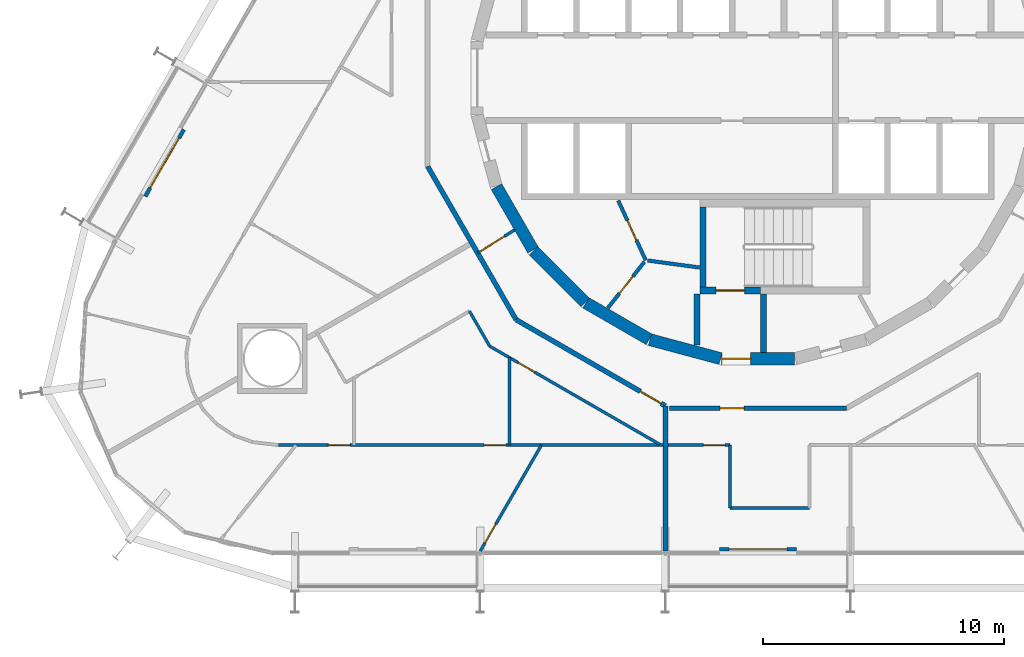
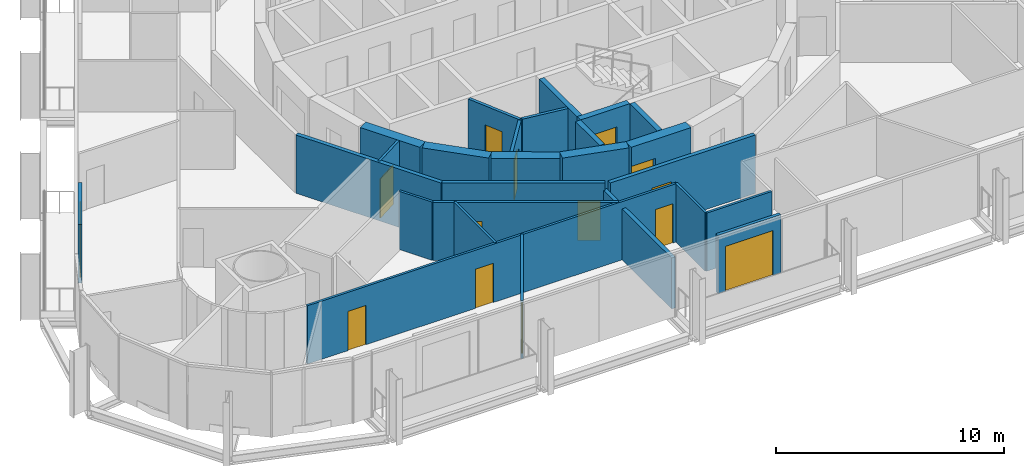
# One storey, part 13 of 20: 26 walls, 14 doors, 14 openings.
"""IFC4 building model written with IfcOpenShell, lengths in metres."""

import ifcopenshell
import ifcopenshell.guid

model = None  # the IFC model being written
_history = None  # IfcOwnerHistory: only IFC2X3 demands one
_inside = {}  # id of a spatial element -> (the spatial element, [elements in it])
_under = {}  # id of a project, library or spatial element -> (it, [spatial elements below it])
_declared = {}  # id of a project -> (the project, [libraries it declares])
_typed = {}  # id of a type object -> (the type object, [elements of that type])
_made_of = {}  # id of a material, layer set ... -> (it, [elements and type objects made of it])


def new_model(schema):
    """Start an empty IFC model of exactly this schema.

    Asked for "IFC4X3", IfcOpenShell would pick the latest addendum, in which some entities
    have other attributes; the version numbers below select the first issue.
    IFC2X3 requires an IfcOwnerHistory on every rooted entity: one is made here for all.
    """
    global model, _history
    if schema == "IFC4X3":
        model = ifcopenshell.file(schema_version=(4, 3, 0, 0))
    else:
        model = ifcopenshell.file(schema=schema)
    _inside.clear()
    _under.clear()
    _declared.clear()
    _typed.clear()
    _made_of.clear()
    _history = None
    if model.schema == "IFC2X3":
        org = make("IfcOrganization", Name="unknown")
        user = make(
            "IfcPersonAndOrganization",
            ThePerson=make("IfcPerson", FamilyName="unknown"),
            TheOrganization=org,
        )
        app = make(
            "IfcApplication",
            ApplicationDeveloper=org,
            Version="unknown",
            ApplicationFullName="unknown",
            ApplicationIdentifier="unknown",
        )
        _history = make(
            "IfcOwnerHistory",
            OwningUser=user,
            OwningApplication=app,
            ChangeAction="ADDED",
            CreationDate=0,
        )
    return model


def make(cls, **values):
    """One entity of the class cls with the attributes given. An attribute that is None is left unset."""
    return model.create_entity(
        cls, **{name: value for name, value in values.items() if value is not None}
    )


def rooted(cls, **values):
    """An entity with a GlobalId (a new one), such as an element, a storey or a relation."""
    return make(cls, GlobalId=ifcopenshell.guid.new(), OwnerHistory=_history, **values)


def si_unit(unit_type, name, prefix=None):
    """IfcSIUnit, for example si_unit("LENGTHUNIT", "METRE", prefix="MILLI")."""
    return make("IfcSIUnit", UnitType=unit_type, Prefix=prefix, Name=name)


def assignment(units):
    """IfcUnitAssignment: the units of a project."""
    return None if units is None else make("IfcUnitAssignment", Units=units)


def point(xyz):
    """IfcCartesianPoint."""
    return None if xyz is None else make("IfcCartesianPoint", Coordinates=xyz)


def direction(xyz):
    """IfcDirection."""
    return None if xyz is None else make("IfcDirection", DirectionRatios=xyz)


def frame(location, z_axis=None, x_axis=None):
    """IfcAxis2Placement3D, a coordinate frame: its origin and axes. An axis left out is left unset."""
    return make(
        "IfcAxis2Placement3D",
        Location=point(location),
        Axis=direction(z_axis),
        RefDirection=direction(x_axis),
    )


def frame_2d(location, x_axis=None):
    """IfcAxis2Placement2D, a coordinate frame in the plane: its origin and x axis."""
    return make(
        "IfcAxis2Placement2D", Location=point(location), RefDirection=direction(x_axis)
    )


def origin():
    """The frame at (0, 0, 0) with its axes left unset."""
    return frame((0.0, 0.0, 0.0))


def place(relative_to, where):
    """IfcLocalPlacement: puts the frame where relative to a parent placement (None: the world)."""
    return make(
        "IfcLocalPlacement", PlacementRelTo=relative_to, RelativePlacement=where
    )


def context(
    kind, dimensions, precision=None, world=None, true_north=None, identifier=None
):
    """IfcGeometricRepresentationContext, for example the 3D "Model" context."""
    return make(
        "IfcGeometricRepresentationContext",
        ContextIdentifier=identifier,
        ContextType=kind,
        CoordinateSpaceDimension=dimensions,
        Precision=precision,
        WorldCoordinateSystem=world,
        TrueNorth=true_north,
    )


def subcontext(parent, identifier, kind, view, scale=None):
    """IfcGeometricRepresentationSubContext, for example "Body" below "Model"."""
    return make(
        "IfcGeometricRepresentationSubContext",
        ContextIdentifier=identifier,
        ContextType=kind,
        ParentContext=parent,
        TargetScale=scale,
        TargetView=view,
    )


def project(units=None, contexts=None):
    """IfcProject with its units and contexts."""
    return rooted(
        "IfcProject",
        Name="project",
        RepresentationContexts=contexts,
        UnitsInContext=assignment(units),
    )


def spatial(cls, under=None, at=None, **own):
    """A site, building, storey or space (cls), placed at a placement, below another one or the project."""
    s = rooted(cls, ObjectPlacement=at, **own)
    if under is not None:
        _under.setdefault(under.id(), (under, []))[1].append(s)
    return s


def profile(cls, at=None, kind="AREA", **sizes):
    """A parametric profile (cls). Its sizes go by their IFC names, for example OverallWidth=200.0."""
    return make(cls, ProfileType=kind, Position=at, **sizes)


def rectangle(**sizes):
    """IfcRectangleProfileDef."""
    return profile("IfcRectangleProfileDef", **sizes)


def extrude(swept, where, along, depth):
    """IfcExtrudedAreaSolid: the profile swept, set in the frame where, extruded along a direction by depth."""
    return make(
        "IfcExtrudedAreaSolid",
        SweptArea=swept,
        Position=where,
        ExtrudedDirection=direction(along),
        Depth=depth,
    )


def shape(context_of_items, identifier, shape_type, items):
    """IfcShapeRepresentation: the items that make up one representation, for example the "Body"."""
    return make(
        "IfcShapeRepresentation",
        ContextOfItems=context_of_items,
        RepresentationIdentifier=identifier,
        RepresentationType=shape_type,
        Items=items,
    )


def material(Name=None, Category=None):
    """IfcMaterial."""
    return make("IfcMaterial", Name=Name, Category=Category)


def layer(
    of_material, thickness, ventilated=None, Name=None, Category=None, Priority=None
):
    """IfcMaterialLayer: one layer of a wall or slab, of a material (None: an air gap)."""
    return make(
        "IfcMaterialLayer",
        Material=of_material,
        LayerThickness=thickness,
        IsVentilated=ventilated,
        Name=Name,
        Category=Category,
        Priority=Priority,
    )


def layer_set(layers, Name=None):
    """IfcMaterialLayerSet."""
    return make("IfcMaterialLayerSet", MaterialLayers=layers, LayerSetName=Name)


def made_of(thing, what):
    """Note that an element or type object is made of a material, layer set ...; save() writes the relation."""
    if what is not None:
        _made_of.setdefault(what.id(), (what, []))[1].append(thing)
    return thing


def type_object(cls, material=None, **own):
    """A type object (cls), such as IfcWallType, which elements share."""
    return made_of(rooted(cls, **own), material)


def element(
    cls,
    number,
    at=None,
    inside=None,
    cuts=None,
    type_object=None,
    material=None,
    context=None,
    identifier="Body",
    shape_type=None,
    held_by="IfcProductDefinitionShape",
    body=None,
    shapes=None,
    **own,
):
    """One element of the class cls, such as IfcWall. Its Tag is "e" and its number.

    at: its placement. inside: the storey or other place that contains it. cuts: it is an
    opening in that element (IfcRelVoidsElement). A single representation is given by context,
    identifier, shape_type and body (its items); several are given by shapes. held_by: the class
    of the entity that holds the representations. save() writes the other relations.
    """
    e = rooted(cls, Tag="e%d" % number, ObjectPlacement=at, **own)
    if body is not None:
        shapes = [shape(context, identifier, shape_type, body)]
    if shapes is not None:
        e.Representation = make(held_by, Representations=shapes)
    if inside is not None:
        _inside.setdefault(inside.id(), (inside, []))[1].append(e)
    if cuts is not None:
        rooted(
            "IfcRelVoidsElement", RelatingBuildingElement=cuts, RelatedOpeningElement=e
        )
    if type_object is not None:
        _typed.setdefault(type_object.id(), (type_object, []))[1].append(e)
    return made_of(e, material)


def fill(opening, filler):
    """IfcRelFillsElement: the door or window that sits in an opening."""
    return rooted(
        "IfcRelFillsElement",
        RelatingOpeningElement=opening,
        RelatedBuildingElement=filler,
    )


def aggregate(whole, parts):
    """IfcRelAggregates: a whole, such as a stair, and the parts it consists of."""
    return rooted("IfcRelAggregates", RelatingObject=whole, RelatedObjects=parts)


def save(model, path):
    """Write the relations noted so far, then the file.

    IfcRelAggregates (storeys below a building ...), IfcRelContainedInSpatialStructure (elements
    in a storey), IfcRelDefinesByType, IfcRelAssociatesMaterial and IfcRelDeclares: one each for
    every whole, place, type object, material and project.
    """
    for whole, parts in _under.values():
        aggregate(whole, parts)
    for where, things in _inside.values():
        rooted(
            "IfcRelContainedInSpatialStructure",
            RelatedElements=things,
            RelatingStructure=where,
        )
    for kind, things in _typed.values():
        rooted("IfcRelDefinesByType", RelatedObjects=things, RelatingType=kind)
    for what, things in _made_of.values():
        rooted("IfcRelAssociatesMaterial", RelatedObjects=things, RelatingMaterial=what)
    for by, libraries in _declared.values():
        rooted("IfcRelDeclares", RelatingContext=by, RelatedDefinitions=libraries)
    model.write(path)


model = new_model("IFC4")

# Units and contexts
model_context = context("Model", 3, precision=1e-05, world=origin(), true_north=direction((0.0, 1.0)))
body_context = subcontext(model_context, "Body", "Model", "MODEL_VIEW")
ifc_project = project(units=[si_unit("LENGTHUNIT", "METRE"), si_unit("AREAUNIT", "SQUARE_METRE"), si_unit("VOLUMEUNIT", "CUBIC_METRE"), si_unit("PLANEANGLEUNIT", "RADIAN"), si_unit("MASSUNIT", "GRAM", prefix="KILO")], contexts=[model_context])

# Site, building, storey
site_placement = place(None, origin())
site = spatial("IfcSite", under=ifc_project, at=site_placement, CompositionType="ELEMENT")
building_placement = place(site_placement, origin())
building = spatial("IfcBuilding", under=site, at=building_placement, Name="Spindle Arch Residences", CompositionType="ELEMENT")
storey_placement = place(building_placement, frame((0.0, 0.0, 41.89990234375)))
storey = spatial("IfcBuildingStorey", under=building, at=storey_placement, Name="L08", CompositionType="ELEMENT", Elevation=41.89990234375)

# Walls
ifc_material_1 = material(Name="Concrete C50/60", Category="concrete")
ifc_layer_1 = layer(ifc_material_1, 0.5)
ifc_layer_set_1 = layer_set([ifc_layer_1], Name="Core outline wall 500")
wall_type_1 = type_object("IfcWallType", Name="Core outline wall 500", PredefinedType="SHEAR", material=ifc_layer_set_1)
wall_1_placement = place(storey_placement, frame((-10.84521484375, -4.510498046875, 0.0), z_axis=(0.0, 0.0, 1.0), x_axis=(0.500087131594, -0.865975092491, 0.0)))
element("IfcWall", 1, at=wall_1_placement, inside=storey, type_object=wall_type_1, Name="Core outline wall 20", PredefinedType="SHEAR", context=body_context, shape_type="SweptSolid", body=[
    extrude(rectangle(XDim=3.03271484375, YDim=0.5, at=frame_2d((1.516357421875, 0.0))), origin(), (0.0, 0.0, 1.0), 3.1201171875),
])
wall_2_placement = place(storey_placement, frame((-9.30810546875, -7.163818359375, 0.0), z_axis=(0.0, 0.0, 1.0), x_axis=(0.707106781187, -0.707106781187, 0.0)))
element("IfcWall", 2, at=wall_2_placement, inside=storey, type_object=wall_type_1, Name="Core outline wall 21", PredefinedType="SHEAR", context=body_context, shape_type="SweptSolid", body=[
    extrude(rectangle(XDim=3.032470703125, YDim=0.5, at=frame_2d((1.51611328125, 0.0))), origin(), (0.0, 0.0, 1.0), 3.1201171875),
])
for number, where, z_axis, x_axis, name in (
    (3, (-7.13671875, -9.32861328125, 0.0), (0.0, 0.0, 1.0), (0.865975092491, -0.500087131594, 0.0), "Core outline wall 22"),
    (4, (-4.479248046875, -10.858154296875, 0.0), (0.0, 0.0, 1.0), (0.965948410781, -0.258734743916, 0.0), "Core outline wall 23"),
):
    element("IfcWall", number, at=place(storey_placement, frame(where, z_axis=z_axis, x_axis=x_axis)), inside=storey, type_object=wall_type_1, Name=name, PredefinedType="SHEAR", context=body_context, shape_type="SweptSolid", body=[
        extrude(rectangle(XDim=3.03271484375, YDim=0.5, at=frame_2d((1.516357421875, 0.0))), origin(), (0.0, 0.0, 1.0), 3.1201171875),
    ])

# Wall, opening, door
wall_3_placement = place(storey_placement, frame((-1.516357421875, -11.647216796875, 0.0), z_axis=(0.0, 0.0, 1.0), x_axis=(1.0, 0.0, 0.0)))
wall_3 = element("IfcWall", 5, at=wall_3_placement, inside=storey, type_object=wall_type_1, Name="Core outline wall 24", PredefinedType="SHEAR", context=body_context, shape_type="SweptSolid", body=[
    extrude(rectangle(XDim=3.03271484375, YDim=0.5, at=frame_2d((1.516357421875, 0.0))), origin(), (0.0, 0.0, 1.0), 3.1201171875),
])
opening_1_placement = place(wall_3_placement, frame((0.016357421875, 0.0, 0.0)))
opening_1 = element("IfcOpeningElement", 6, at=opening_1_placement, cuts=wall_3, Name="Opening R1A1-AD03", PredefinedType="OPENING", context=body_context, shape_type="SweptSolid", body=[
    extrude(rectangle(XDim=1.199951171875, YDim=2.10009765625, at=frame_2d((0.60009765625, 1.050048828125))), frame((0.0, 0.260009765625, 0.0), z_axis=(0.0, -1.0, 0.0), x_axis=(1.0, 0.0, 0.0)), (0.0, 0.0, 1.0), 0.52001953125),
])
ifc_material_2 = material(Name="Steel, fire-resisting door", Category="steel")
door_type_1 = type_object("IfcDoorType", Name="Stair airlock door 1200x2100", OperationType="SINGLE_SWING_LEFT", PredefinedType="DOOR", material=ifc_material_2)
door_1_placement = place(opening_1_placement, origin())
door_1 = element("IfcDoor", 7, at=door_1_placement, inside=storey, type_object=door_type_1, Name="Stair airlock door R1A1-AD03", OperationType="SINGLE_SWING_RIGHT", OverallHeight=2.10009765625, OverallWidth=1.199951171875, PredefinedType="DOOR", context=body_context, shape_type="SweptSolid", body=[
    extrude(rectangle(XDim=1.199951171875, YDim=2.10009765625, at=frame_2d((0.60009765625, 1.050048828125))), frame((0.0, 0.02490234375, 0.0), z_axis=(0.0, -1.0, 0.0), x_axis=(1.0, 0.0, 0.0)), (0.0, 0.0, 1.0), 0.050048828125),
])
fill(opening_1, door_1)

ifc_material_3 = material(Name="Plasterboard on steel studs", Category="steel")
ifc_layer_2 = layer(ifc_material_3, 0.1201171875)
ifc_layer_set_2 = layer_set([ifc_layer_2], Name="Corridor division wall 120")
wall_type_2 = type_object("IfcWallType", Name="Corridor division wall 120", PredefinedType="PARTITIONING", material=ifc_layer_set_2)
wall_4_placement = place(storey_placement, frame((-11.625244140625, -7.264404296875, 0.0), z_axis=(0.0, 0.0, 1.0), x_axis=(0.84803632456, 0.529938102259, 0.0)))
wall_4 = element("IfcWall", 8, at=wall_4_placement, inside=storey, type_object=wall_type_2, Name="Corridor division wall R1A1-W003", PredefinedType="PARTITIONING", context=body_context, shape_type="SweptSolid", body=[
    extrude(rectangle(XDim=1.8037109375, YDim=0.1201171875, at=frame_2d((0.90185546875, 0.0))), origin(), (0.0, 0.0, 1.0), 3.1201171875),
])
opening_2_placement = place(wall_4_placement, frame((0.110107421875, 0.0, 0.0)))
opening_2 = element("IfcOpeningElement", 9, at=opening_2_placement, cuts=wall_4, Name="Opening R1A1-CD03", PredefinedType="OPENING", context=body_context, shape_type="SweptSolid", body=[
    extrude(rectangle(XDim=1.199951171875, YDim=2.10009765625, at=frame_2d((0.60009765625, 1.050048828125))), frame((0.0, 0.070068359375, 0.0), z_axis=(0.0, -1.0, 0.0), x_axis=(1.0, 0.0, 0.0)), (0.0, 0.0, 1.0), 0.14013671875),
])
ifc_material_4 = material(Name="Steel, fire-resisting door", Category="steel")
door_type_2 = type_object("IfcDoorType", Name="Corridor division door 1200x2100", OperationType="NOTDEFINED", PredefinedType="DOOR", material=ifc_material_4)
door_2_placement = place(opening_2_placement, origin())
door_2 = element("IfcDoor", 10, at=door_2_placement, inside=storey, type_object=door_type_2, Name="Corridor division door R1A1-CD03", OperationType="DOUBLE_DOOR_SINGLE_SWING", OverallHeight=2.10009765625, OverallWidth=1.199951171875, PredefinedType="DOOR", context=body_context, shape_type="SweptSolid", body=[
    extrude(rectangle(XDim=1.199951171875, YDim=2.10009765625, at=frame_2d((0.60009765625, 1.050048828125))), frame((0.0, 0.02490234375, 0.0), z_axis=(0.0, -1.0, 0.0), x_axis=(1.0, 0.0, 0.0)), (0.0, 0.0, 1.0), 0.050048828125),
])
fill(opening_2, door_2)

# Wall
ifc_material_5 = material(Name="Calcium silicate block, plastered")
ifc_layer_3 = layer(ifc_material_5, 0.199951171875)
ifc_layer_set_3 = layer_set([ifc_layer_3], Name="Corridor wall 200")
wall_type_3 = type_object("IfcWallType", Name="Corridor wall 200", PredefinedType="STANDARD", material=ifc_layer_set_3)
wall_5_placement = place(storey_placement, frame((-13.699951171875, -3.6708984375, 0.0), z_axis=(0.0, 0.0, 1.0), x_axis=(0.500001669485, -0.866024439905, 0.0)))
element("IfcWall", 11, at=wall_5_placement, inside=storey, type_object=wall_type_3, Name="Corridor wall R1A1-W012", PredefinedType="STANDARD", context=body_context, shape_type="SweptSolid", body=[
    extrude(rectangle(XDim=7.341796875, YDim=0.199951171875, at=frame_2d((3.6708984375, 0.0))), origin(), (0.0, 0.0, 1.0), 3.1201171875),
])

# Wall, opening, door
wall_6_placement = place(storey_placement, frame((-10.029052734375, -10.029052734375, 0.0), z_axis=(0.0, 0.0, 1.0), x_axis=(0.866022878987, -0.500004373052, 0.0)))
wall_6 = element("IfcWall", 12, at=wall_6_placement, inside=storey, type_object=wall_type_3, Name="Corridor wall R1A1-W013", PredefinedType="STANDARD", context=body_context, shape_type="SweptSolid", body=[
    extrude(rectangle(XDim=7.146484375, YDim=0.199951171875, at=frame_2d((3.5732421875, 0.0))), origin(), (0.0, 0.0, 1.0), 3.1201171875),
])
opening_3_placement = place(wall_6_placement, frame((5.946533203125, 0.0, 0.0)))
opening_3 = element("IfcOpeningElement", 13, at=opening_3_placement, cuts=wall_6, Name="Opening R1A1-FD04", PredefinedType="OPENING", context=body_context, shape_type="SweptSolid", body=[
    extrude(rectangle(XDim=1.0, YDim=2.10009765625, at=frame_2d((0.5, 1.050048828125))), frame((0.0, 0.10986328125, 0.0), z_axis=(0.0, -1.0, 0.0), x_axis=(1.0, 0.0, 0.0)), (0.0, 0.0, 1.0), 0.219970703125),
])
ifc_material_6 = material(Name="Timber, fire-resisting door set", Category="wood")
door_type_3 = type_object("IfcDoorType", Name="Flat entrance door 1000x2100", OperationType="NOTDEFINED", PredefinedType="DOOR", material=ifc_material_6)
door_3_placement = place(opening_3_placement, origin())
door_3 = element("IfcDoor", 14, at=door_3_placement, inside=storey, type_object=door_type_3, Name="Flat entrance door R1A1-FD04", OperationType="SINGLE_SWING_LEFT", OverallHeight=2.10009765625, OverallWidth=1.0, PredefinedType="DOOR", context=body_context, shape_type="SweptSolid", body=[
    extrude(rectangle(XDim=1.0, YDim=2.10009765625, at=frame_2d((0.5, 1.050048828125))), frame((0.0, 0.02490234375, 0.0), z_axis=(0.0, -1.0, 0.0), x_axis=(1.0, 0.0, 0.0)), (0.0, 0.0, 1.0), 0.050048828125),
])
fill(opening_3, door_3)

wall_7_placement = place(storey_placement, frame((-3.6708984375, -13.699951171875, 0.0), z_axis=(0.0, 0.0, 1.0), x_axis=(1.0, 0.0, 0.0)))
wall_7 = element("IfcWall", 15, at=wall_7_placement, inside=storey, type_object=wall_type_3, Name="Corridor wall R1A1-W014", PredefinedType="STANDARD", context=body_context, shape_type="SweptSolid", body=[
    extrude(rectangle(XDim=7.341796875, YDim=0.199951171875, at=frame_2d((3.6708984375, 0.0))), origin(), (0.0, 0.0, 1.0), 3.1201171875),
])
opening_4_placement = place(wall_7_placement, frame((2.10009765625, 0.0, 0.0)))
opening_4 = element("IfcOpeningElement", 16, at=opening_4_placement, cuts=wall_7, Name="Opening R1A1-FD05", PredefinedType="OPENING", context=body_context, shape_type="SweptSolid", body=[
    extrude(rectangle(XDim=1.0, YDim=2.10009765625, at=frame_2d((0.5, 1.050048828125))), frame((0.0, 0.10986328125, 0.0), z_axis=(0.0, -1.0, 0.0), x_axis=(1.0, 0.0, 0.0)), (0.0, 0.0, 1.0), 0.219970703125),
])
door_4_placement = place(opening_4_placement, origin())
door_4 = element("IfcDoor", 17, at=door_4_placement, inside=storey, type_object=door_type_3, Name="Flat entrance door R1A1-FD05", OperationType="SINGLE_SWING_LEFT", OverallHeight=2.10009765625, OverallWidth=1.0, PredefinedType="DOOR", context=body_context, shape_type="SweptSolid", body=[
    extrude(rectangle(XDim=1.0, YDim=2.10009765625, at=frame_2d((0.5, 1.050048828125))), frame((0.0, 0.02490234375, 0.0), z_axis=(0.0, -1.0, 0.0), x_axis=(1.0, 0.0, 0.0)), (0.0, 0.0, 1.0), 0.050048828125),
])
fill(opening_4, door_4)

# Wall
ifc_material_7 = material(Name="Plasterboard on steel studs", Category="steel")
ifc_layer_4 = layer(ifc_material_7, 0.1201171875)
ifc_layer_set_4 = layer_set([ifc_layer_4], Name="Flat partition 120")
wall_type_4 = type_object("IfcWallType", Name="Flat partition 120", PredefinedType="PARTITIONING", material=ifc_layer_set_4)
wall_8_placement = place(storey_placement, frame((-11.964599609375, -9.676513671875, 0.0), z_axis=(0.0, 0.0, 1.0), x_axis=(0.499932737185, -0.866064234506, 0.0)))
element("IfcWall", 18, at=wall_8_placement, inside=storey, type_object=wall_type_4, Name="Flat partition R1A1-W074", PredefinedType="PARTITIONING", context=body_context, shape_type="SweptSolid", body=[
    extrude(rectangle(XDim=1.675048828125, YDim=0.1201171875, at=frame_2d((0.83740234375, 0.0))), origin(), (0.0, 0.0, 1.0), 3.1201171875),
])

# Wall, opening, door
wall_9_placement = place(storey_placement, frame((-11.127197265625, -11.127197265625, 0.0), z_axis=(0.0, 0.0, 1.0), x_axis=(0.866032360344, -0.499987950692, 0.0)))
wall_9 = element("IfcWall", 19, at=wall_9_placement, inside=storey, type_object=wall_type_4, Name="Flat partition R1A1-W075", PredefinedType="PARTITIONING", context=body_context, shape_type="SweptSolid", body=[
    extrude(rectangle(XDim=8.145751953125, YDim=0.1201171875, at=frame_2d((4.07275390625, 0.0))), origin(), (0.0, 0.0, 1.0), 3.1201171875),
])
opening_5_placement = place(wall_9_placement, frame((1.357177734375, 0.0, 0.0)))
opening_5 = element("IfcOpeningElement", 20, at=opening_5_placement, cuts=wall_9, Name="Opening R1A1-BD05", PredefinedType="OPENING", context=body_context, shape_type="SweptSolid", body=[
    extrude(rectangle(XDim=0.800048828125, YDim=2.10009765625, at=frame_2d((0.39990234375, 1.050048828125))), frame((0.0, 0.070068359375, 0.0), z_axis=(0.0, -1.0, 0.0), x_axis=(1.0, 0.0, 0.0)), (0.0, 0.0, 1.0), 0.14013671875),
])
ifc_material_8 = material(Name="Timber door set", Category="wood")
door_type_4 = type_object("IfcDoorType", Name="Bathroom door 800x2100", OperationType="NOTDEFINED", PredefinedType="DOOR", material=ifc_material_8)
door_5_placement = place(opening_5_placement, origin())
door_5 = element("IfcDoor", 21, at=door_5_placement, inside=storey, type_object=door_type_4, Name="Bathroom door R1A1-BD05", OperationType="SINGLE_SWING_LEFT", OverallHeight=2.10009765625, OverallWidth=0.800048828125, PredefinedType="DOOR", context=body_context, shape_type="SweptSolid", body=[
    extrude(rectangle(XDim=0.800048828125, YDim=2.10009765625, at=frame_2d((0.39990234375, 1.050048828125))), frame((0.0, 0.02490234375, 0.0), z_axis=(0.0, -1.0, 0.0), x_axis=(1.0, 0.0, 0.0)), (0.0, 0.0, 1.0), 0.050048828125),
])
fill(opening_5, door_5)

# Wall, openings, doors
wall_10_placement = place(storey_placement, frame((-1.161376953125, -15.22998046875, 0.0), z_axis=(0.0, 0.0, 1.0), x_axis=(-1.0, 0.0, 0.0)))
wall_10 = element("IfcWall", 22, at=wall_10_placement, inside=storey, type_object=wall_type_4, Name="Flat partition R1A1-W076", PredefinedType="PARTITIONING", context=body_context, shape_type="SweptSolid", body=[
    extrude(rectangle(XDim=18.72607421875, YDim=0.1201171875, at=frame_2d((9.363037109375, 0.0))), origin(), (0.0, 0.0, 1.0), 3.1201171875),
])
opening_6_placement = place(wall_10_placement, frame((9.296875, 0.0, 0.0)))
opening_6 = element("IfcOpeningElement", 23, at=opening_6_placement, cuts=wall_10, Name="Opening R1A1-ID20", PredefinedType="OPENING", context=body_context, shape_type="SweptSolid", body=[
    extrude(rectangle(XDim=0.89990234375, YDim=2.10009765625, at=frame_2d((0.449951171875, 1.050048828125))), frame((0.0, 0.070068359375, 0.0), z_axis=(0.0, -1.0, 0.0), x_axis=(1.0, 0.0, 0.0)), (0.0, 0.0, 1.0), 0.14013671875),
])
opening_7_placement = place(wall_10_placement, frame((15.7548828125, 0.0, 0.0)))
opening_7 = element("IfcOpeningElement", 24, at=opening_7_placement, cuts=wall_10, Name="Opening R1A1-ID23", PredefinedType="OPENING", context=body_context, shape_type="SweptSolid", body=[
    extrude(rectangle(XDim=0.89990234375, YDim=2.10009765625, at=frame_2d((0.449951171875, 1.050048828125))), frame((0.0, 0.070068359375, 0.0), z_axis=(0.0, -1.0, 0.0), x_axis=(1.0, 0.0, 0.0)), (0.0, 0.0, 1.0), 0.14013671875),
])
opening_8_placement = place(wall_10_placement, frame((0.199951171875, 0.0, 0.0)))
opening_8 = element("IfcOpeningElement", 25, at=opening_8_placement, cuts=wall_10, Name="Opening R1A1-ID24", PredefinedType="OPENING", context=body_context, shape_type="SweptSolid", body=[
    extrude(rectangle(XDim=0.89990234375, YDim=2.10009765625, at=frame_2d((0.449951171875, 1.050048828125))), frame((0.0, 0.070068359375, 0.0), z_axis=(0.0, -1.0, 0.0), x_axis=(1.0, 0.0, 0.0)), (0.0, 0.0, 1.0), 0.14013671875),
])
ifc_material_9 = material(Name="Timber door set", Category="wood")
door_type_5 = type_object("IfcDoorType", Name="Room door 900x2100", OperationType="NOTDEFINED", PredefinedType="DOOR", material=ifc_material_9)
door_6_placement = place(opening_6_placement, origin())
door_6 = element("IfcDoor", 26, at=door_6_placement, inside=storey, type_object=door_type_5, Name="Room door R1A1-ID20", OperationType="SINGLE_SWING_LEFT", OverallHeight=2.10009765625, OverallWidth=0.89990234375, PredefinedType="DOOR", context=body_context, shape_type="SweptSolid", body=[
    extrude(rectangle(XDim=0.89990234375, YDim=2.10009765625, at=frame_2d((0.449951171875, 1.050048828125))), frame((0.0, 0.02490234375, 0.0), z_axis=(0.0, -1.0, 0.0), x_axis=(1.0, 0.0, 0.0)), (0.0, 0.0, 1.0), 0.050048828125),
])
fill(opening_6, door_6)
door_7_placement = place(opening_7_placement, origin())
door_7 = element("IfcDoor", 27, at=door_7_placement, inside=storey, type_object=door_type_5, Name="Room door R1A1-ID23", OperationType="SINGLE_SWING_RIGHT", OverallHeight=2.10009765625, OverallWidth=0.89990234375, PredefinedType="DOOR", context=body_context, shape_type="SweptSolid", body=[
    extrude(rectangle(XDim=0.89990234375, YDim=2.10009765625, at=frame_2d((0.449951171875, 1.050048828125))), frame((0.0, 0.02490234375, 0.0), z_axis=(0.0, -1.0, 0.0), x_axis=(1.0, 0.0, 0.0)), (0.0, 0.0, 1.0), 0.050048828125),
])
fill(opening_7, door_7)
door_8_placement = place(opening_8_placement, origin())
door_8 = element("IfcDoor", 28, at=door_8_placement, inside=storey, type_object=door_type_5, Name="Room door R1A1-ID24", OperationType="SINGLE_SWING_LEFT", OverallHeight=2.10009765625, OverallWidth=0.89990234375, PredefinedType="DOOR", context=body_context, shape_type="SweptSolid", body=[
    extrude(rectangle(XDim=0.89990234375, YDim=2.10009765625, at=frame_2d((0.449951171875, 1.050048828125))), frame((0.0, 0.02490234375, 0.0), z_axis=(0.0, -1.0, 0.0), x_axis=(1.0, 0.0, 0.0)), (0.0, 0.0, 1.0), 0.050048828125),
])
fill(opening_8, door_8)

# Wall
wall_11_placement = place(storey_placement, frame((-10.298095703125, -15.22998046875, 0.0), z_axis=(0.0, 0.0, 1.0), x_axis=(0.0, 1.0, 0.0)))
element("IfcWall", 29, at=wall_11_placement, inside=storey, type_object=wall_type_4, Name="Flat partition R1A1-W083", PredefinedType="PARTITIONING", context=body_context, shape_type="SweptSolid", body=[
    extrude(rectangle(XDim=3.624267578125, YDim=0.1201171875, at=frame_2d((1.81201171875, 0.0))), origin(), (0.0, 0.0, 1.0), 3.1201171875),
])

# Wall, opening, door
wall_12_placement = place(storey_placement, frame((-11.52001953125, -19.6298828125, 0.0), z_axis=(0.0, 0.0, 1.0), x_axis=(0.499999763888, 0.866025540104, 0.0)))
wall_12 = element("IfcWall", 30, at=wall_12_placement, inside=storey, type_object=wall_type_4, Name="Flat partition R1A1-W084", PredefinedType="PARTITIONING", context=body_context, shape_type="SweptSolid", body=[
    extrude(rectangle(XDim=5.08056640625, YDim=0.1201171875, at=frame_2d((2.540283203125, 0.0))), origin(), (0.0, 0.0, 1.0), 3.1201171875),
])
opening_9_placement = place(wall_12_placement, frame((0.39990234375, 0.0, 0.0)))
opening_9 = element("IfcOpeningElement", 31, at=opening_9_placement, cuts=wall_12, Name="Opening R1A1-ID22", PredefinedType="OPENING", context=body_context, shape_type="SweptSolid", body=[
    extrude(rectangle(XDim=0.89990234375, YDim=2.10009765625, at=frame_2d((0.449951171875, 1.050048828125))), frame((0.0, 0.070068359375, 0.0), z_axis=(0.0, -1.0, 0.0), x_axis=(1.0, 0.0, 0.0)), (0.0, 0.0, 1.0), 0.14013671875),
])
door_9_placement = place(opening_9_placement, origin())
door_9 = element("IfcDoor", 32, at=door_9_placement, inside=storey, type_object=door_type_5, Name="Room door R1A1-ID22", OperationType="SINGLE_SWING_RIGHT", OverallHeight=2.10009765625, OverallWidth=0.89990234375, PredefinedType="DOOR", context=body_context, shape_type="SweptSolid", body=[
    extrude(rectangle(XDim=0.89990234375, YDim=2.10009765625, at=frame_2d((0.449951171875, 1.050048828125))), frame((0.0, 0.02490234375, 0.0), z_axis=(0.0, -1.0, 0.0), x_axis=(1.0, 0.0, 0.0)), (0.0, 0.0, 1.0), 0.050048828125),
])
fill(opening_9, door_9)

# Walls
wall_13_placement = place(storey_placement, frame((-1.161376953125, -15.22998046875, 0.0), z_axis=(0.0, 0.0, 1.0), x_axis=(0.0, -1.0, 0.0)))
element("IfcWall", 33, at=wall_13_placement, inside=storey, type_object=wall_type_4, Name="Flat partition R1A1-W085", PredefinedType="PARTITIONING", context=body_context, shape_type="SweptSolid", body=[
    extrude(rectangle(XDim=2.614990234375, YDim=0.1201171875, at=frame_2d((1.3076171875, 0.0))), origin(), (0.0, 0.0, 1.0), 3.1201171875),
])
wall_14_placement = place(storey_placement, frame((-1.161376953125, -17.844970703125, 0.0), z_axis=(0.0, 0.0, 1.0), x_axis=(1.0, 0.0, 0.0)))
element("IfcWall", 34, at=wall_14_placement, inside=storey, type_object=wall_type_4, Name="Flat partition R1A1-W086", PredefinedType="PARTITIONING", context=body_context, shape_type="SweptSolid", body=[
    extrude(rectangle(XDim=3.300048828125, YDim=0.1201171875, at=frame_2d((1.64990234375, 0.0))), origin(), (0.0, 0.0, 1.0), 3.1201171875),
])
ifc_material_10 = material(Name="Calcium silicate block, plastered")
ifc_layer_5 = layer(ifc_material_10, 0.199951171875)
ifc_layer_set_5 = layer_set([ifc_layer_5], Name="Flat party wall 200 under beam 2730")
wall_type_5 = type_object("IfcWallType", Name="Flat party wall 200 under beam 2730", PredefinedType="STANDARD", material=ifc_layer_set_5)
wall_15_placement = place(storey_placement, frame((-3.840087890625, -19.6298828125, 0.0), z_axis=(0.0, 0.0, 1.0), x_axis=(0.0, 1.0, 0.0)))
element("IfcWall", 35, at=wall_15_placement, inside=storey, type_object=wall_type_5, Name="Flat party wall R1A1-W024", PredefinedType="STANDARD", context=body_context, shape_type="SweptSolid", body=[
    extrude(rectangle(XDim=6.027587890625, YDim=0.199951171875, at=frame_2d((3.013671875, 0.0))), origin(), (0.0, 0.0, 1.0), 2.72998046875),
])

# Wall, opening, door
ifc_material_11 = material(Name="Non-combustible mineral wool insulated aluminium faced external wall (K0)", Category="aluminium")
ifc_layer_6 = layer(ifc_material_11, 0.159912109375)
ifc_layer_set_6 = layer_set([ifc_layer_6], Name="Insulated external wall panel 160")
wall_type_6 = type_object("IfcWallType", Name="Insulated external wall panel 160", PredefinedType="STANDARD", material=ifc_layer_set_6)
wall_16_placement = place(storey_placement, frame((-23.810791015625, -2.1416015625, 0.0), z_axis=(0.0, 0.0, 1.0), x_axis=(-0.500028443584, -0.866008981251, 0.0)))
wall_16 = element("IfcWall", 36, at=wall_16_placement, inside=storey, type_object=wall_type_6, Name="External wall L08 bay 18", PredefinedType="STANDARD", context=body_context, shape_type="SweptSolid", body=[
    extrude(rectangle(XDim=3.199951171875, YDim=0.159912109375, at=frame_2d((1.60009765625, 0.0))), origin(), (0.0, 0.0, 1.0), 3.1201171875),
])
opening_10_placement = place(wall_16_placement, frame((0.39990234375, 0.0, 0.0)))
opening_10 = element("IfcOpeningElement", 37, at=opening_10_placement, cuts=wall_16, Name="Opening BD18", PredefinedType="OPENING", context=body_context, shape_type="SweptSolid", body=[
    extrude(rectangle(XDim=2.39990234375, YDim=2.39990234375, at=frame_2d((1.199951171875, 1.199951171875))), frame((0.0, 0.08984375, 0.0), z_axis=(0.0, -1.0, 0.0), x_axis=(1.0, 0.0, 0.0)), (0.0, 0.0, 1.0), 0.179931640625),
])
ifc_material_12 = material(Name="Bronze aluminium frame, tinted double glazing", Category="aluminium")
door_type_6 = type_object("IfcDoorType", Name="Sliding glazed balcony door 2400x2400", OperationType="DOUBLE_DOOR_SLIDING", PredefinedType="DOOR", material=ifc_material_12)
door_10_placement = place(opening_10_placement, origin())
door_10 = element("IfcDoor", 38, at=door_10_placement, inside=storey, type_object=door_type_6, Name="Balcony door BD18", OperationType="DOUBLE_DOOR_SLIDING", OverallHeight=2.39990234375, OverallWidth=2.39990234375, PredefinedType="DOOR", context=body_context, shape_type="SweptSolid", body=[
    extrude(rectangle(XDim=2.39990234375, YDim=2.39990234375, at=frame_2d((1.199951171875, 1.199951171875))), frame((0.0, 0.02490234375, 0.0), z_axis=(0.0, -1.0, 0.0), x_axis=(1.0, 0.0, 0.0)), (0.0, 0.0, 1.0), 0.050048828125),
])
fill(opening_10, door_10)

wall_17_placement = place(storey_placement, frame((-1.60009765625, -19.5498046875, 0.0), z_axis=(0.0, 0.0, 1.0), x_axis=(1.0, 0.0, 0.0)))
wall_17 = element("IfcWall", 39, at=wall_17_placement, inside=storey, type_object=wall_type_6, Name="External wall L08 bay 24", PredefinedType="STANDARD", context=body_context, shape_type="SweptSolid", body=[
    extrude(rectangle(XDim=3.2001953125, YDim=0.159912109375, at=frame_2d((1.60009765625, 0.0))), origin(), (0.0, 0.0, 1.0), 3.1201171875),
])
opening_11_placement = place(wall_17_placement, frame((0.39990234375, 0.0, 0.0)))
opening_11 = element("IfcOpeningElement", 40, at=opening_11_placement, cuts=wall_17, Name="Opening BD24", PredefinedType="OPENING", context=body_context, shape_type="SweptSolid", body=[
    extrude(rectangle(XDim=2.39990234375, YDim=2.39990234375, at=frame_2d((1.199951171875, 1.199951171875))), frame((0.0, 0.08984375, 0.0), z_axis=(0.0, -1.0, 0.0), x_axis=(1.0, 0.0, 0.0)), (0.0, 0.0, 1.0), 0.179931640625),
])
door_11_placement = place(opening_11_placement, origin())
door_11 = element("IfcDoor", 41, at=door_11_placement, inside=storey, type_object=door_type_6, Name="Balcony door BD24", OperationType="DOUBLE_DOOR_SLIDING", OverallHeight=2.39990234375, OverallWidth=2.39990234375, PredefinedType="DOOR", context=body_context, shape_type="SweptSolid", body=[
    extrude(rectangle(XDim=2.39990234375, YDim=2.39990234375, at=frame_2d((1.199951171875, 1.199951171875))), frame((0.0, 0.02490234375, 0.0), z_axis=(0.0, -1.0, 0.0), x_axis=(1.0, 0.0, 0.0)), (0.0, 0.0, 1.0), 0.050048828125),
])
fill(opening_11, door_11)

ifc_material_13 = material(Name="Concrete C25/30", Category="concrete")
ifc_layer_7 = layer(ifc_material_13, 0.14990234375)
ifc_layer_set_7 = layer_set([ifc_layer_7], Name="Service room partition 150")
wall_type_7 = type_object("IfcWallType", Name="Service room partition 150", PredefinedType="PARTITIONING", material=ifc_layer_set_7)
wall_18_placement = place(storey_placement, frame((-5.794921875, -5.086181640625, 0.0), z_axis=(0.0, 0.0, 1.0), x_axis=(0.417887867606, -0.908498613157, 0.0)))
wall_18 = element("IfcWall", 42, at=wall_18_placement, inside=storey, type_object=wall_type_7, Name="Core service room partition", PredefinedType="PARTITIONING", context=body_context, shape_type="SweptSolid", body=[
    extrude(rectangle(XDim=2.72607421875, YDim=0.14990234375, at=frame_2d((1.363037109375, 0.0))), origin(), (0.0, 0.0, 1.0), 3.1201171875),
])
opening_12_placement = place(wall_18_placement, frame((0.912841796875, 0.0, 0.0)))
opening_12 = element("IfcOpeningElement", 43, at=opening_12_placement, cuts=wall_18, Name="Opening R1A1-WD05", PredefinedType="OPENING", context=body_context, shape_type="SweptSolid", body=[
    extrude(rectangle(XDim=0.89990234375, YDim=2.10009765625, at=frame_2d((0.449951171875, 1.050048828125))), frame((0.0, 0.0849609375, 0.0), z_axis=(0.0, -1.0, 0.0), x_axis=(1.0, 0.0, 0.0)), (0.0, 0.0, 1.0), 0.169921875),
])
ifc_material_14 = material(Name="Steel, fire-resisting door", Category="steel")
door_type_7 = type_object("IfcDoorType", Name="Service room door 900x2100", OperationType="SINGLE_SWING_LEFT", PredefinedType="DOOR", material=ifc_material_14)
door_12_placement = place(opening_12_placement, origin())
door_12 = element("IfcDoor", 44, at=door_12_placement, inside=storey, type_object=door_type_7, Name="Service room door R1A1-WD05", OperationType="SINGLE_SWING_RIGHT", OverallHeight=2.10009765625, OverallWidth=0.89990234375, PredefinedType="DOOR", context=body_context, shape_type="SweptSolid", body=[
    extrude(rectangle(XDim=0.89990234375, YDim=2.10009765625, at=frame_2d((0.449951171875, 1.050048828125))), frame((0.0, 0.02490234375, 0.0), z_axis=(0.0, -1.0, 0.0), x_axis=(1.0, 0.0, 0.0)), (0.0, 0.0, 1.0), 0.050048828125),
])
fill(opening_12, door_12)

wall_19_placement = place(storey_placement, frame((-4.70556640625, -7.62548828125, 0.0), z_axis=(0.0, 0.0, 1.0), x_axis=(-0.621392599334, -0.783499353856, 0.0)))
wall_19 = element("IfcWall", 45, at=wall_19_placement, inside=storey, type_object=wall_type_7, Name="Core service room partition", PredefinedType="PARTITIONING", context=body_context, shape_type="SweptSolid", body=[
    extrude(rectangle(XDim=2.447265625, YDim=0.14990234375, at=frame_2d((1.2236328125, 0.0))), origin(), (0.0, 0.0, 1.0), 3.1201171875),
])
opening_13_placement = place(wall_19_placement, frame((0.773681640625, 0.0, 0.0)))
opening_13 = element("IfcOpeningElement", 46, at=opening_13_placement, cuts=wall_19, Name="Opening R1A1-WD06", PredefinedType="OPENING", context=body_context, shape_type="SweptSolid", body=[
    extrude(rectangle(XDim=0.89990234375, YDim=2.10009765625, at=frame_2d((0.449951171875, 1.050048828125))), frame((0.0, 0.0849609375, 0.0), z_axis=(0.0, -1.0, 0.0), x_axis=(1.0, 0.0, 0.0)), (0.0, 0.0, 1.0), 0.169921875),
])
door_13_placement = place(opening_13_placement, origin())
door_13 = element("IfcDoor", 47, at=door_13_placement, inside=storey, type_object=door_type_7, Name="Service room door R1A1-WD06", OperationType="SINGLE_SWING_LEFT", OverallHeight=2.10009765625, OverallWidth=0.89990234375, PredefinedType="DOOR", context=body_context, shape_type="SweptSolid", body=[
    extrude(rectangle(XDim=0.89990234375, YDim=2.10009765625, at=frame_2d((0.449951171875, 1.050048828125))), frame((0.0, 0.02490234375, 0.0), z_axis=(0.0, -1.0, 0.0), x_axis=(1.0, 0.0, 0.0)), (0.0, 0.0, 1.0), 0.050048828125),
])
fill(opening_13, door_13)

# Walls
wall_20_placement = place(storey_placement, frame((-2.419921875, -7.865234375, 0.0), z_axis=(0.0, 0.0, 1.0), x_axis=(-0.990972299108, 0.134066783362, 0.0)))
element("IfcWall", 48, at=wall_20_placement, inside=storey, type_object=wall_type_7, Name="Core service room partition", PredefinedType="PARTITIONING", context=body_context, shape_type="SweptSolid", body=[
    extrude(rectangle(XDim=2.176025390625, YDim=0.14990234375, at=frame_2d((1.087890625, 0.0))), origin(), (0.0, 0.0, 1.0), 3.1201171875),
])
ifc_material_15 = material(Name="Concrete C40/50", Category="concrete")
ifc_layer_8 = layer(ifc_material_15, 0.25)
ifc_layer_set_8 = layer_set([ifc_layer_8], Name="Stair airlock wall 250")
wall_type_8 = type_object("IfcWallType", Name="Stair airlock wall 250", PredefinedType="SHEAR", material=ifc_layer_set_8)
wall_21_placement = place(storey_placement, frame((-2.52490234375, -8.969970703125, 0.0), z_axis=(0.0, 0.0, 1.0), x_axis=(0.0, -1.0, 0.0)))
element("IfcWall", 49, at=wall_21_placement, inside=storey, type_object=wall_type_8, Name="Stair ST-3 airlock wall W", PredefinedType="SHEAR", context=body_context, shape_type="SweptSolid", body=[
    extrude(rectangle(XDim=2.110107421875, YDim=0.25, at=frame_2d((1.05517578125, 0.0))), origin(), (0.0, 0.0, 1.0), 3.1201171875),
])
wall_22_placement = place(storey_placement, frame((0.22509765625, -8.969970703125, 0.0), z_axis=(0.0, 0.0, 1.0), x_axis=(0.0, -1.0, 0.0)))
element("IfcWall", 50, at=wall_22_placement, inside=storey, type_object=wall_type_8, Name="Stair ST-3 airlock wall E", PredefinedType="SHEAR", context=body_context, shape_type="SweptSolid", body=[
    extrude(rectangle(XDim=2.409912109375, YDim=0.25, at=frame_2d((1.205078125, 0.0))), origin(), (0.0, 0.0, 1.0), 3.1201171875),
])
ifc_material_16 = material(Name="Concrete C50/60", Category="concrete")
ifc_layer_9 = layer(ifc_material_16, 0.25)
ifc_layer_set_9 = layer_set([ifc_layer_9], Name="Stair enclosure wall 250")
wall_type_9 = type_object("IfcWallType", Name="Stair enclosure wall 250", PredefinedType="SHEAR", material=ifc_layer_set_9)
wall_23_placement = place(storey_placement, frame((-2.27490234375, -8.669921875, 0.0), z_axis=(0.0, 0.0, 1.0), x_axis=(0.0, 1.0, 0.0)))
element("IfcWall", 51, at=wall_23_placement, inside=storey, type_object=wall_type_9, Name="Stair ST-3 enclosure wall W", PredefinedType="SHEAR", context=body_context, shape_type="SweptSolid", body=[
    extrude(rectangle(XDim=3.31982421875, YDim=0.25, at=frame_2d((1.659912109375, 0.0))), origin(), (0.0, 0.0, 1.0), 3.1201171875),
])

# Wall, opening, door
ifc_material_17 = material(Name="Concrete C50/60", Category="concrete")
ifc_layer_10 = layer(ifc_material_17, 0.300048828125)
ifc_layer_set_10 = layer_set([ifc_layer_10], Name="Stair enclosure wall 300")
wall_type_10 = type_object("IfcWallType", Name="Stair enclosure wall 300", PredefinedType="SHEAR", material=ifc_layer_set_10)
wall_24_placement = place(storey_placement, frame((-2.39990234375, -8.820068359375, 0.0), z_axis=(0.0, 0.0, 1.0), x_axis=(1.0, 0.0, 0.0)))
wall_24 = element("IfcWall", 52, at=wall_24_placement, inside=storey, type_object=wall_type_10, Name="Stair ST-3 door wall", PredefinedType="SHEAR", context=body_context, shape_type="SweptSolid", body=[
    extrude(rectangle(XDim=2.5, YDim=0.300048828125, at=frame_2d((1.25, 0.0))), origin(), (0.0, 0.0, 1.0), 3.1201171875),
])
opening_14_placement = place(wall_24_placement, frame((0.64990234375, 0.0, 0.0)))
opening_14 = element("IfcOpeningElement", 53, at=opening_14_placement, cuts=wall_24, Name="Opening R1A1-SD03", PredefinedType="OPENING", context=body_context, shape_type="SweptSolid", body=[
    extrude(rectangle(XDim=1.199951171875, YDim=2.10009765625, at=frame_2d((0.60009765625, 1.050048828125))), frame((0.0, 0.16015625, 0.0), z_axis=(0.0, -1.0, 0.0), x_axis=(1.0, 0.0, 0.0)), (0.0, 0.0, 1.0), 0.320068359375),
])
ifc_material_18 = material(Name="Steel, fire-resisting door", Category="steel")
door_type_8 = type_object("IfcDoorType", Name="Stair door 1200x2100", OperationType="SINGLE_SWING_RIGHT", PredefinedType="DOOR", material=ifc_material_18)
door_14_placement = place(opening_14_placement, origin())
door_14 = element("IfcDoor", 54, at=door_14_placement, inside=storey, type_object=door_type_8, Name="Stair door R1A1-SD03", OperationType="SINGLE_SWING_LEFT", OverallHeight=2.10009765625, OverallWidth=1.199951171875, PredefinedType="DOOR", context=body_context, shape_type="SweptSolid", body=[
    extrude(rectangle(XDim=1.199951171875, YDim=2.10009765625, at=frame_2d((0.60009765625, 1.050048828125))), frame((0.0, 0.02490234375, 0.0), z_axis=(0.0, -1.0, 0.0), x_axis=(1.0, 0.0, 0.0)), (0.0, 0.0, 1.0), 0.050048828125),
])
fill(opening_14, door_14)

save(model, "model.ifc")
